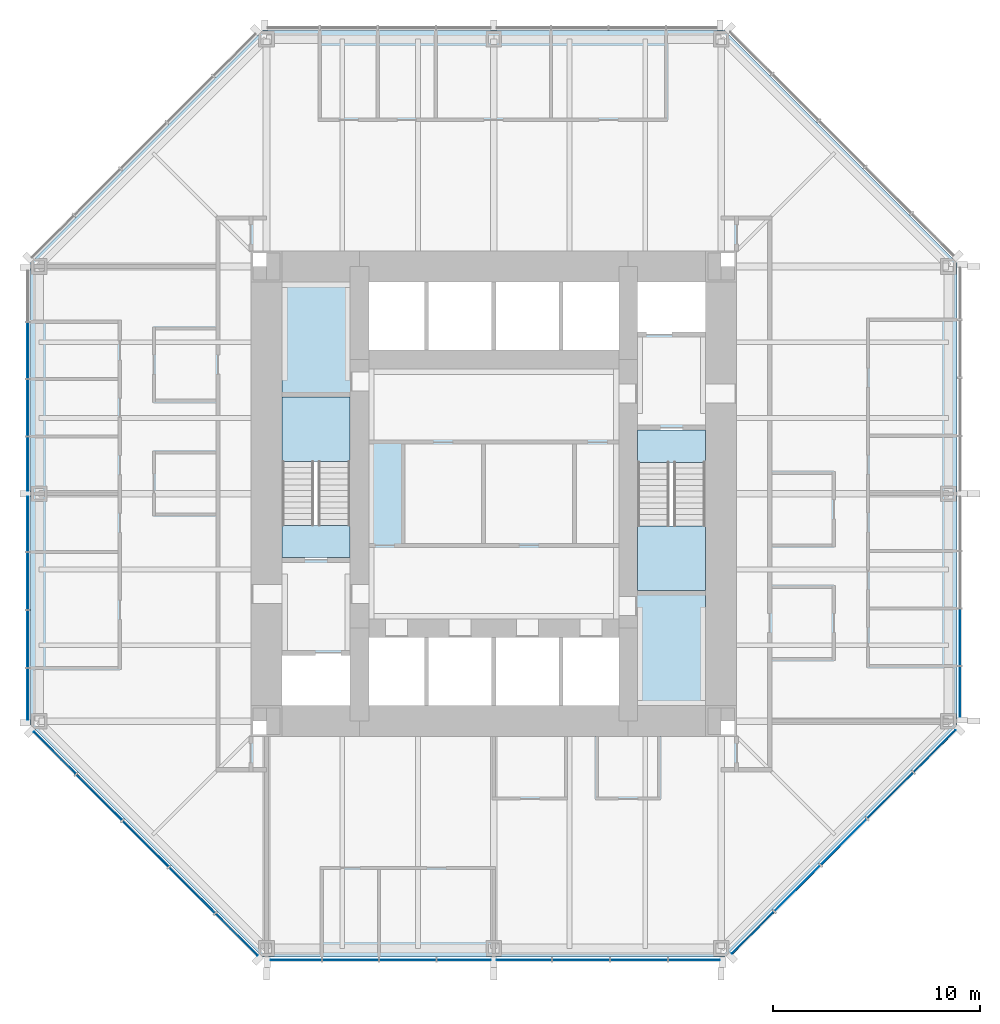
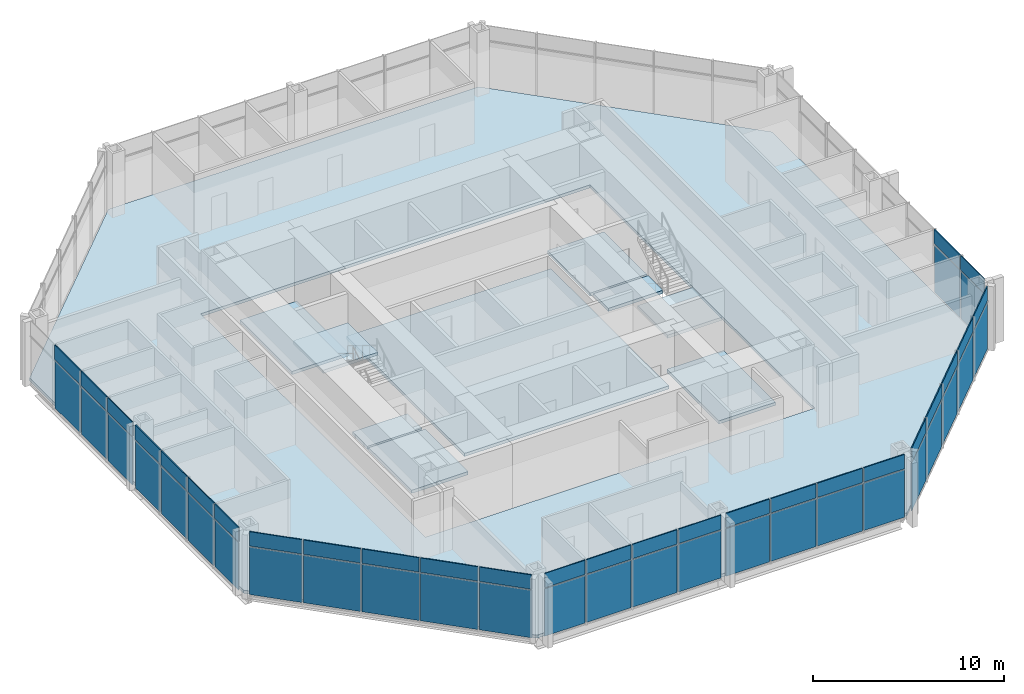
# One storey, part 7 of 12: 54 plates, 10 slabs, 7 elements without a shape of their own.
"""IFC4 building model written with IfcOpenShell, lengths in metres."""

from ifc_helpers import new_model, si_unit, direction, frame, origin, origin_2d, place, context, subcontext, project, spatial, polyline, rectangle, outline, extrude, material, layer, layer_set, type_object, element, aggregate, save


model = new_model("IFC4")

# Units and contexts
model_context = context("Model", 3, precision=1e-05, world=origin(), true_north=direction((0.0, 1.0)))
body_context = subcontext(model_context, "Body", "Model", "MODEL_VIEW")
ifc_project = project(units=[si_unit("LENGTHUNIT", "METRE"), si_unit("AREAUNIT", "SQUARE_METRE"), si_unit("VOLUMEUNIT", "CUBIC_METRE"), si_unit("PLANEANGLEUNIT", "RADIAN"), si_unit("MASSUNIT", "GRAM", prefix="KILO")], contexts=[model_context])

# Site, building, storey
site_placement = place(None, origin())
site = spatial("IfcSite", under=ifc_project, at=site_placement, CompositionType="ELEMENT")
building_placement = place(site_placement, origin())
building = spatial("IfcBuilding", under=site, at=building_placement, Name="Trevanion Tower", CompositionType="ELEMENT")
storey_placement = place(building_placement, frame((0.0, 0.0, 117.199951171875)))
storey = spatial("IfcBuildingStorey", under=building, at=storey_placement, Name="L27", CompositionType="ELEMENT", Elevation=117.199951171875)

# Curtain wall, plates
ifc_material_1 = material(Name="Aluminium and glass", Category="aluminium")
curtain_wall_type = type_object("IfcCurtainWallType", Name="CW2 curtain wall", PredefinedType="USERDEFINED", material=ifc_material_1)
curtain_wall_1_placement = place(storey_placement, origin())
curtain_wall_1 = element("IfcCurtainWall", 1, at=curtain_wall_1_placement, inside=storey, type_object=curtain_wall_type, Name="CW2 L27 0", ObjectType="UNITISED CURTAIN WALL", PredefinedType="USERDEFINED")
ifc_material_2 = material(Name="Aluminium spandrel panel", Category="aluminium")
ifc_layer_1 = layer(ifc_material_2, 0.06005859375)
ifc_layer_set_1 = layer_set([ifc_layer_1], Name="CW2 spandrel panel")
plate_type_1 = type_object("IfcPlateType", Name="CW2 spandrel panel", PredefinedType="CURTAIN_PANEL", material=ifc_layer_set_1)
plate_1_placement = place(storey_placement, frame((22.550048828125, -9.579345703125, 2.99755859375), z_axis=(0.0, 0.0, 1.0), x_axis=(0.0, 1.0, 0.0)))
plate_1 = element("IfcPlate", 2, at=plate_1_placement, type_object=plate_type_1, Name="CW2 panel 1.2", PredefinedType="CURTAIN_PANEL", context=body_context, shape_type="SweptSolid", body=[
    extrude(rectangle(XDim=2.43701171875, YDim=0.06005859375, at=origin_2d()), origin(), (0.0, 0.0, 1.0), 0.91259765625),
])
plate_2_placement = place(storey_placement, frame((22.550048828125, -6.93603515625, 2.99755859375), z_axis=(0.0, 0.0, 1.0), x_axis=(0.0, 1.0, 0.0)))
plate_2 = element("IfcPlate", 3, at=plate_2_placement, type_object=plate_type_1, Name="CW2 panel 2.2", PredefinedType="CURTAIN_PANEL", context=body_context, shape_type="SweptSolid", body=[
    extrude(rectangle(XDim=2.699462890625, YDim=0.06005859375, at=origin_2d()), origin(), (0.0, 0.0, 1.0), 0.91259765625),
])

curtain_wall_2_placement = place(storey_placement, origin())
curtain_wall_2 = element("IfcCurtainWall", 4, at=curtain_wall_2_placement, inside=storey, type_object=curtain_wall_type, Name="CW2 L27 4", ObjectType="UNITISED CURTAIN WALL", PredefinedType="USERDEFINED")
plate_3_placement = place(storey_placement, frame((-22.550048828125, 6.93603515625, 2.99755859375), z_axis=(0.0, 0.0, 1.0), x_axis=(0.0, -1.0, 0.0)))
plate_3 = element("IfcPlate", 5, at=plate_3_placement, type_object=plate_type_1, Name="CW2 panel 2.2", PredefinedType="CURTAIN_PANEL", context=body_context, shape_type="SweptSolid", body=[
    extrude(rectangle(XDim=2.699462890625, YDim=0.06005859375, at=origin_2d()), origin(), (0.0, 0.0, 1.0), 0.91259765625),
])
plate_4_placement = place(storey_placement, frame((-22.550048828125, 4.16162109375, 2.99755859375), z_axis=(0.0, 0.0, 1.0), x_axis=(0.0, -1.0, 0.0)))
plate_4 = element("IfcPlate", 6, at=plate_4_placement, type_object=plate_type_1, Name="CW2 panel 3.2", PredefinedType="CURTAIN_PANEL", context=body_context, shape_type="SweptSolid", body=[
    extrude(rectangle(XDim=2.699462890625, YDim=0.06005859375, at=origin_2d()), origin(), (0.0, 0.0, 1.0), 0.91259765625),
])
plate_5_placement = place(storey_placement, frame((-22.550048828125, 1.443603515625, 2.99755859375), z_axis=(0.0, 0.0, 1.0), x_axis=(0.0, -1.0, 0.0)))
plate_5 = element("IfcPlate", 7, at=plate_5_placement, type_object=plate_type_1, Name="CW2 panel 4.2", PredefinedType="CURTAIN_PANEL", context=body_context, shape_type="SweptSolid", body=[
    extrude(rectangle(XDim=2.5869140625, YDim=0.06005859375, at=origin_2d()), origin(), (0.0, 0.0, 1.0), 0.91259765625),
])
plate_6_placement = place(storey_placement, frame((-22.550048828125, -1.459716796875, 2.99755859375), z_axis=(0.0, 0.0, 1.0), x_axis=(0.0, -1.0, 0.0)))
plate_6 = element("IfcPlate", 8, at=plate_6_placement, type_object=plate_type_1, Name="CW2 panel 5.2", PredefinedType="CURTAIN_PANEL", context=body_context, shape_type="SweptSolid", body=[
    extrude(rectangle(XDim=2.619384765625, YDim=0.06005859375, at=origin_2d()), origin(), (0.0, 0.0, 1.0), 0.91259765625),
])
plate_7_placement = place(storey_placement, frame((-22.550048828125, -4.21044921875, 2.99755859375), z_axis=(0.0, 0.0, 1.0), x_axis=(0.0, -1.0, 0.0)))
plate_7 = element("IfcPlate", 9, at=plate_7_placement, type_object=plate_type_1, Name="CW2 panel 6.2", PredefinedType="CURTAIN_PANEL", context=body_context, shape_type="SweptSolid", body=[
    extrude(rectangle(XDim=2.73193359375, YDim=0.06005859375, at=origin_2d()), origin(), (0.0, 0.0, 1.0), 0.91259765625),
])
plate_8_placement = place(storey_placement, frame((-22.550048828125, -7.017333984375, 2.99755859375), z_axis=(0.0, 0.0, 1.0), x_axis=(0.0, -1.0, 0.0)))
plate_8 = element("IfcPlate", 10, at=plate_8_placement, type_object=plate_type_1, Name="CW2 panel 7.2", PredefinedType="CURTAIN_PANEL", context=body_context, shape_type="SweptSolid", body=[
    extrude(rectangle(XDim=2.73193359375, YDim=0.06005859375, at=origin_2d()), origin(), (0.0, 0.0, 1.0), 0.91259765625),
])
plate_9_placement = place(storey_placement, frame((-22.550048828125, -9.693115234375, 2.99755859375), z_axis=(0.0, 0.0, 1.0), x_axis=(0.0, -1.0, 0.0)))
plate_9 = element("IfcPlate", 11, at=plate_9_placement, type_object=plate_type_1, Name="CW2 panel 8.2", PredefinedType="CURTAIN_PANEL", context=body_context, shape_type="SweptSolid", body=[
    extrude(rectangle(XDim=2.469482421875, YDim=0.06005859375, at=origin_2d()), origin(), (0.0, 0.0, 1.0), 0.91259765625),
])

curtain_wall_3_placement = place(storey_placement, origin())
curtain_wall_3 = element("IfcCurtainWall", 12, at=curtain_wall_3_placement, inside=storey, type_object=curtain_wall_type, Name="CW2 L27 5", ObjectType="UNITISED CURTAIN WALL", PredefinedType="USERDEFINED")
plate_10_placement = place(storey_placement, frame((-21.2421875, -12.53564453125, 2.99755859375), z_axis=(0.0, 0.0, 1.0), x_axis=(0.707106781187, -0.707106781187, 0.0)))
plate_10 = element("IfcPlate", 13, at=plate_10_placement, type_object=plate_type_1, Name="CW2 panel 1.2", PredefinedType="CURTAIN_PANEL", context=body_context, shape_type="SweptSolid", body=[
    extrude(rectangle(XDim=2.8388671875, YDim=0.06005859375, at=origin_2d()), origin(), (0.0, 0.0, 1.0), 0.91259765625),
])
plate_11_placement = place(storey_placement, frame((-19.089111328125, -14.688720703125, 2.99755859375), z_axis=(0.0, 0.0, 1.0), x_axis=(0.707106781187, -0.707106781187, 0.0)))
plate_11 = element("IfcPlate", 14, at=plate_11_placement, type_object=plate_type_1, Name="CW2 panel 2.2", PredefinedType="CURTAIN_PANEL", context=body_context, shape_type="SweptSolid", body=[
    extrude(rectangle(XDim=3.101318359375, YDim=0.06005859375, at=origin_2d()), origin(), (0.0, 0.0, 1.0), 0.91259765625),
])
plate_12_placement = place(storey_placement, frame((-16.843017578125, -16.934814453125, 2.99755859375), z_axis=(0.0, 0.0, 1.0), x_axis=(0.707106781187, -0.707106781187, 0.0)))
plate_12 = element("IfcPlate", 15, at=plate_12_placement, type_object=plate_type_1, Name="CW2 panel 3.2", PredefinedType="CURTAIN_PANEL", context=body_context, shape_type="SweptSolid", body=[
    extrude(rectangle(XDim=3.101318359375, YDim=0.06005859375, at=origin_2d()), origin(), (0.0, 0.0, 1.0), 0.91259765625),
])
plate_13_placement = place(storey_placement, frame((-14.596923828125, -19.180908203125, 2.99755859375), z_axis=(0.0, 0.0, 1.0), x_axis=(0.707106781187, -0.707106781187, 0.0)))
plate_13 = element("IfcPlate", 16, at=plate_13_placement, type_object=plate_type_1, Name="CW2 panel 4.2", PredefinedType="CURTAIN_PANEL", context=body_context, shape_type="SweptSolid", body=[
    extrude(rectangle(XDim=3.101318359375, YDim=0.06005859375, at=origin_2d()), origin(), (0.0, 0.0, 1.0), 0.91259765625),
])
plate_14_placement = place(storey_placement, frame((-12.443603515625, -21.334228515625, 2.99755859375), z_axis=(0.0, 0.0, 1.0), x_axis=(0.707106781187, -0.707106781187, 0.0)))
plate_14 = element("IfcPlate", 17, at=plate_14_placement, type_object=plate_type_1, Name="CW2 panel 5.2", PredefinedType="CURTAIN_PANEL", context=body_context, shape_type="SweptSolid", body=[
    extrude(rectangle(XDim=2.8388671875, YDim=0.06005859375, at=origin_2d()), origin(), (0.0, 0.0, 1.0), 0.91259765625),
])

curtain_wall_4_placement = place(storey_placement, origin())
curtain_wall_4 = element("IfcCurtainWall", 18, at=curtain_wall_4_placement, inside=storey, type_object=curtain_wall_type, Name="CW2 L27 6", ObjectType="UNITISED CURTAIN WALL", PredefinedType="USERDEFINED")
plate_15_placement = place(storey_placement, frame((-9.579345703125, -22.550048828125, 2.99755859375), z_axis=(0.0, 0.0, 1.0), x_axis=(1.0, 0.0, 0.0)))
plate_15 = element("IfcPlate", 19, at=plate_15_placement, type_object=plate_type_1, Name="CW2 panel 1.2", PredefinedType="CURTAIN_PANEL", context=body_context, shape_type="SweptSolid", body=[
    extrude(rectangle(XDim=2.43701171875, YDim=0.06005859375, at=origin_2d()), origin(), (0.0, 0.0, 1.0), 0.91259765625),
])
plate_16_placement = place(storey_placement, frame((-6.93603515625, -22.550048828125, 2.99755859375), z_axis=(0.0, 0.0, 1.0), x_axis=(1.0, 0.0, 0.0)))
plate_16 = element("IfcPlate", 20, at=plate_16_placement, type_object=plate_type_1, Name="CW2 panel 2.2", PredefinedType="CURTAIN_PANEL", context=body_context, shape_type="SweptSolid", body=[
    extrude(rectangle(XDim=2.699462890625, YDim=0.06005859375, at=origin_2d()), origin(), (0.0, 0.0, 1.0), 0.91259765625),
])
plate_17_placement = place(storey_placement, frame((-4.16162109375, -22.550048828125, 2.99755859375), z_axis=(0.0, 0.0, 1.0), x_axis=(1.0, 0.0, 0.0)))
plate_17 = element("IfcPlate", 21, at=plate_17_placement, type_object=plate_type_1, Name="CW2 panel 3.2", PredefinedType="CURTAIN_PANEL", context=body_context, shape_type="SweptSolid", body=[
    extrude(rectangle(XDim=2.699462890625, YDim=0.06005859375, at=origin_2d()), origin(), (0.0, 0.0, 1.0), 0.91259765625),
])
plate_18_placement = place(storey_placement, frame((-1.443603515625, -22.550048828125, 2.99755859375), z_axis=(0.0, 0.0, 1.0), x_axis=(1.0, 0.0, 0.0)))
plate_18 = element("IfcPlate", 22, at=plate_18_placement, type_object=plate_type_1, Name="CW2 panel 4.2", PredefinedType="CURTAIN_PANEL", context=body_context, shape_type="SweptSolid", body=[
    extrude(rectangle(XDim=2.5869140625, YDim=0.06005859375, at=origin_2d()), origin(), (0.0, 0.0, 1.0), 0.91259765625),
])
plate_19_placement = place(storey_placement, frame((1.459716796875, -22.550048828125, 2.99755859375), z_axis=(0.0, 0.0, 1.0), x_axis=(1.0, 0.0, 0.0)))
plate_19 = element("IfcPlate", 23, at=plate_19_placement, type_object=plate_type_1, Name="CW2 panel 5.2", PredefinedType="CURTAIN_PANEL", context=body_context, shape_type="SweptSolid", body=[
    extrude(rectangle(XDim=2.619384765625, YDim=0.06005859375, at=origin_2d()), origin(), (0.0, 0.0, 1.0), 0.91259765625),
])
plate_20_placement = place(storey_placement, frame((4.21044921875, -22.550048828125, 2.99755859375), z_axis=(0.0, 0.0, 1.0), x_axis=(1.0, 0.0, 0.0)))
plate_20 = element("IfcPlate", 24, at=plate_20_placement, type_object=plate_type_1, Name="CW2 panel 6.2", PredefinedType="CURTAIN_PANEL", context=body_context, shape_type="SweptSolid", body=[
    extrude(rectangle(XDim=2.73193359375, YDim=0.06005859375, at=origin_2d()), origin(), (0.0, 0.0, 1.0), 0.91259765625),
])
plate_21_placement = place(storey_placement, frame((7.017333984375, -22.550048828125, 2.99755859375), z_axis=(0.0, 0.0, 1.0), x_axis=(1.0, 0.0, 0.0)))
plate_21 = element("IfcPlate", 25, at=plate_21_placement, type_object=plate_type_1, Name="CW2 panel 7.2", PredefinedType="CURTAIN_PANEL", context=body_context, shape_type="SweptSolid", body=[
    extrude(rectangle(XDim=2.73193359375, YDim=0.06005859375, at=origin_2d()), origin(), (0.0, 0.0, 1.0), 0.91259765625),
])
plate_22_placement = place(storey_placement, frame((9.693115234375, -22.550048828125, 2.99755859375), z_axis=(0.0, 0.0, 1.0), x_axis=(1.0, 0.0, 0.0)))
plate_22 = element("IfcPlate", 26, at=plate_22_placement, type_object=plate_type_1, Name="CW2 panel 8.2", PredefinedType="CURTAIN_PANEL", context=body_context, shape_type="SweptSolid", body=[
    extrude(rectangle(XDim=2.469482421875, YDim=0.06005859375, at=origin_2d()), origin(), (0.0, 0.0, 1.0), 0.91259765625),
])

curtain_wall_5_placement = place(storey_placement, origin())
curtain_wall_5 = element("IfcCurtainWall", 27, at=curtain_wall_5_placement, inside=storey, type_object=curtain_wall_type, Name="CW2 L27 7", ObjectType="UNITISED CURTAIN WALL", PredefinedType="USERDEFINED")
plate_23_placement = place(storey_placement, frame((12.53564453125, -21.2421875, 2.99755859375), z_axis=(0.0, 0.0, 1.0), x_axis=(0.707106781187, 0.707106781187, 0.0)))
plate_23 = element("IfcPlate", 28, at=plate_23_placement, type_object=plate_type_1, Name="CW2 panel 1.2", PredefinedType="CURTAIN_PANEL", context=body_context, shape_type="SweptSolid", body=[
    extrude(rectangle(XDim=2.8388671875, YDim=0.06005859375, at=origin_2d()), origin(), (0.0, 0.0, 1.0), 0.91259765625),
])
plate_24_placement = place(storey_placement, frame((14.688720703125, -19.089111328125, 2.99755859375), z_axis=(0.0, 0.0, 1.0), x_axis=(0.707106781187, 0.707106781187, 0.0)))
plate_24 = element("IfcPlate", 29, at=plate_24_placement, type_object=plate_type_1, Name="CW2 panel 2.2", PredefinedType="CURTAIN_PANEL", context=body_context, shape_type="SweptSolid", body=[
    extrude(rectangle(XDim=3.101318359375, YDim=0.06005859375, at=origin_2d()), origin(), (0.0, 0.0, 1.0), 0.91259765625),
])
plate_25_placement = place(storey_placement, frame((16.934814453125, -16.843017578125, 2.99755859375), z_axis=(0.0, 0.0, 1.0), x_axis=(0.707106781187, 0.707106781187, 0.0)))
plate_25 = element("IfcPlate", 30, at=plate_25_placement, type_object=plate_type_1, Name="CW2 panel 3.2", PredefinedType="CURTAIN_PANEL", context=body_context, shape_type="SweptSolid", body=[
    extrude(rectangle(XDim=3.101318359375, YDim=0.06005859375, at=origin_2d()), origin(), (0.0, 0.0, 1.0), 0.91259765625),
])
plate_26_placement = place(storey_placement, frame((19.180908203125, -14.596923828125, 2.99755859375), z_axis=(0.0, 0.0, 1.0), x_axis=(0.707106781187, 0.707106781187, 0.0)))
plate_26 = element("IfcPlate", 31, at=plate_26_placement, type_object=plate_type_1, Name="CW2 panel 4.2", PredefinedType="CURTAIN_PANEL", context=body_context, shape_type="SweptSolid", body=[
    extrude(rectangle(XDim=3.101318359375, YDim=0.06005859375, at=origin_2d()), origin(), (0.0, 0.0, 1.0), 0.91259765625),
])
plate_27_placement = place(storey_placement, frame((21.334228515625, -12.443603515625, 2.99755859375), z_axis=(0.0, 0.0, 1.0), x_axis=(0.707106781187, 0.707106781187, 0.0)))
plate_27 = element("IfcPlate", 32, at=plate_27_placement, type_object=plate_type_1, Name="CW2 panel 5.2", PredefinedType="CURTAIN_PANEL", context=body_context, shape_type="SweptSolid", body=[
    extrude(rectangle(XDim=2.8388671875, YDim=0.06005859375, at=origin_2d()), origin(), (0.0, 0.0, 1.0), 0.91259765625),
])

# Plate
ifc_material_3 = material(Name="Insulating glass unit", Category="glass")
ifc_layer_2 = layer(ifc_material_3, 0.028076171875)
ifc_layer_set_2 = layer_set([ifc_layer_2], Name="CW2 vision panel")
plate_type_2 = type_object("IfcPlateType", Name="CW2 vision panel", PredefinedType="CURTAIN_PANEL", material=ifc_layer_set_2)
plate_28_placement = place(storey_placement, frame((22.550048828125, -9.579345703125, -0.114990234375), z_axis=(0.0, 0.0, 1.0), x_axis=(0.0, 1.0, 0.0)))
plate_28 = element("IfcPlate", 33, at=plate_28_placement, type_object=plate_type_2, Name="CW2 panel 1.1", PredefinedType="CURTAIN_PANEL", context=body_context, shape_type="SweptSolid", body=[
    extrude(rectangle(XDim=2.43701171875, YDim=0.028076171875, at=origin_2d()), origin(), (0.0, 0.0, 1.0), 3.03759765625),
])

plate_29_placement = place(storey_placement, frame((22.550048828125, -6.93603515625, -0.114990234375), z_axis=(0.0, 0.0, 1.0), x_axis=(0.0, 1.0, 0.0)))
plate_29 = element("IfcPlate", 34, at=plate_29_placement, type_object=plate_type_2, Name="CW2 panel 2.1", PredefinedType="CURTAIN_PANEL", context=body_context, shape_type="SweptSolid", body=[
    extrude(rectangle(XDim=2.699462890625, YDim=0.028076171875, at=origin_2d()), origin(), (0.0, 0.0, 1.0), 3.03759765625),
])

aggregate(curtain_wall_1, [plate_28, plate_1, plate_29, plate_2])

plate_30_placement = place(storey_placement, frame((-22.550048828125, 6.93603515625, -0.114990234375), z_axis=(0.0, 0.0, 1.0), x_axis=(0.0, -1.0, 0.0)))
plate_30 = element("IfcPlate", 35, at=plate_30_placement, type_object=plate_type_2, Name="CW2 panel 2.1", PredefinedType="CURTAIN_PANEL", context=body_context, shape_type="SweptSolid", body=[
    extrude(rectangle(XDim=2.699462890625, YDim=0.028076171875, at=origin_2d()), origin(), (0.0, 0.0, 1.0), 3.03759765625),
])

plate_31_placement = place(storey_placement, frame((-22.550048828125, 4.16162109375, -0.114990234375), z_axis=(0.0, 0.0, 1.0), x_axis=(0.0, -1.0, 0.0)))
plate_31 = element("IfcPlate", 36, at=plate_31_placement, type_object=plate_type_2, Name="CW2 panel 3.1", PredefinedType="CURTAIN_PANEL", context=body_context, shape_type="SweptSolid", body=[
    extrude(rectangle(XDim=2.699462890625, YDim=0.028076171875, at=origin_2d()), origin(), (0.0, 0.0, 1.0), 3.03759765625),
])

plate_32_placement = place(storey_placement, frame((-22.550048828125, 1.443603515625, -0.114990234375), z_axis=(0.0, 0.0, 1.0), x_axis=(0.0, -1.0, 0.0)))
plate_32 = element("IfcPlate", 37, at=plate_32_placement, type_object=plate_type_2, Name="CW2 panel 4.1", PredefinedType="CURTAIN_PANEL", context=body_context, shape_type="SweptSolid", body=[
    extrude(rectangle(XDim=2.5869140625, YDim=0.028076171875, at=origin_2d()), origin(), (0.0, 0.0, 1.0), 3.03759765625),
])

plate_33_placement = place(storey_placement, frame((-22.550048828125, -1.459716796875, -0.114990234375), z_axis=(0.0, 0.0, 1.0), x_axis=(0.0, -1.0, 0.0)))
plate_33 = element("IfcPlate", 38, at=plate_33_placement, type_object=plate_type_2, Name="CW2 panel 5.1", PredefinedType="CURTAIN_PANEL", context=body_context, shape_type="SweptSolid", body=[
    extrude(rectangle(XDim=2.619384765625, YDim=0.028076171875, at=origin_2d()), origin(), (0.0, 0.0, 1.0), 3.03759765625),
])

plate_34_placement = place(storey_placement, frame((-22.550048828125, -4.21044921875, -0.114990234375), z_axis=(0.0, 0.0, 1.0), x_axis=(0.0, -1.0, 0.0)))
plate_34 = element("IfcPlate", 39, at=plate_34_placement, type_object=plate_type_2, Name="CW2 panel 6.1", PredefinedType="CURTAIN_PANEL", context=body_context, shape_type="SweptSolid", body=[
    extrude(rectangle(XDim=2.73193359375, YDim=0.028076171875, at=origin_2d()), origin(), (0.0, 0.0, 1.0), 3.03759765625),
])

plate_35_placement = place(storey_placement, frame((-22.550048828125, -7.017333984375, -0.114990234375), z_axis=(0.0, 0.0, 1.0), x_axis=(0.0, -1.0, 0.0)))
plate_35 = element("IfcPlate", 40, at=plate_35_placement, type_object=plate_type_2, Name="CW2 panel 7.1", PredefinedType="CURTAIN_PANEL", context=body_context, shape_type="SweptSolid", body=[
    extrude(rectangle(XDim=2.73193359375, YDim=0.028076171875, at=origin_2d()), origin(), (0.0, 0.0, 1.0), 3.03759765625),
])

plate_36_placement = place(storey_placement, frame((-22.550048828125, -9.693115234375, -0.114990234375), z_axis=(0.0, 0.0, 1.0), x_axis=(0.0, -1.0, 0.0)))
plate_36 = element("IfcPlate", 41, at=plate_36_placement, type_object=plate_type_2, Name="CW2 panel 8.1", PredefinedType="CURTAIN_PANEL", context=body_context, shape_type="SweptSolid", body=[
    extrude(rectangle(XDim=2.469482421875, YDim=0.028076171875, at=origin_2d()), origin(), (0.0, 0.0, 1.0), 3.03759765625),
])

aggregate(curtain_wall_2, [plate_30, plate_3, plate_31, plate_4, plate_32, plate_5, plate_33, plate_6, plate_34, plate_7, plate_35, plate_8, plate_36, plate_9])

plate_37_placement = place(storey_placement, frame((-21.2421875, -12.53564453125, -0.114990234375), z_axis=(0.0, 0.0, 1.0), x_axis=(0.707106781187, -0.707106781187, 0.0)))
plate_37 = element("IfcPlate", 42, at=plate_37_placement, type_object=plate_type_2, Name="CW2 panel 1.1", PredefinedType="CURTAIN_PANEL", context=body_context, shape_type="SweptSolid", body=[
    extrude(rectangle(XDim=2.8388671875, YDim=0.028076171875, at=origin_2d()), origin(), (0.0, 0.0, 1.0), 3.03759765625),
])

plate_38_placement = place(storey_placement, frame((-19.089111328125, -14.688720703125, -0.114990234375), z_axis=(0.0, 0.0, 1.0), x_axis=(0.707106781187, -0.707106781187, 0.0)))
plate_38 = element("IfcPlate", 43, at=plate_38_placement, type_object=plate_type_2, Name="CW2 panel 2.1", PredefinedType="CURTAIN_PANEL", context=body_context, shape_type="SweptSolid", body=[
    extrude(rectangle(XDim=3.101318359375, YDim=0.028076171875, at=origin_2d()), origin(), (0.0, 0.0, 1.0), 3.03759765625),
])

plate_39_placement = place(storey_placement, frame((-16.843017578125, -16.934814453125, -0.114990234375), z_axis=(0.0, 0.0, 1.0), x_axis=(0.707106781187, -0.707106781187, 0.0)))
plate_39 = element("IfcPlate", 44, at=plate_39_placement, type_object=plate_type_2, Name="CW2 panel 3.1", PredefinedType="CURTAIN_PANEL", context=body_context, shape_type="SweptSolid", body=[
    extrude(rectangle(XDim=3.101318359375, YDim=0.028076171875, at=origin_2d()), origin(), (0.0, 0.0, 1.0), 3.03759765625),
])

plate_40_placement = place(storey_placement, frame((-14.596923828125, -19.180908203125, -0.114990234375), z_axis=(0.0, 0.0, 1.0), x_axis=(0.707106781187, -0.707106781187, 0.0)))
plate_40 = element("IfcPlate", 45, at=plate_40_placement, type_object=plate_type_2, Name="CW2 panel 4.1", PredefinedType="CURTAIN_PANEL", context=body_context, shape_type="SweptSolid", body=[
    extrude(rectangle(XDim=3.101318359375, YDim=0.028076171875, at=origin_2d()), origin(), (0.0, 0.0, 1.0), 3.03759765625),
])

plate_41_placement = place(storey_placement, frame((-12.443603515625, -21.334228515625, -0.114990234375), z_axis=(0.0, 0.0, 1.0), x_axis=(0.707106781187, -0.707106781187, 0.0)))
plate_41 = element("IfcPlate", 46, at=plate_41_placement, type_object=plate_type_2, Name="CW2 panel 5.1", PredefinedType="CURTAIN_PANEL", context=body_context, shape_type="SweptSolid", body=[
    extrude(rectangle(XDim=2.8388671875, YDim=0.028076171875, at=origin_2d()), origin(), (0.0, 0.0, 1.0), 3.03759765625),
])

aggregate(curtain_wall_3, [plate_37, plate_10, plate_38, plate_11, plate_39, plate_12, plate_40, plate_13, plate_41, plate_14])

plate_42_placement = place(storey_placement, frame((-9.579345703125, -22.550048828125, -0.114990234375), z_axis=(0.0, 0.0, 1.0), x_axis=(1.0, 0.0, 0.0)))
plate_42 = element("IfcPlate", 47, at=plate_42_placement, type_object=plate_type_2, Name="CW2 panel 1.1", PredefinedType="CURTAIN_PANEL", context=body_context, shape_type="SweptSolid", body=[
    extrude(rectangle(XDim=2.43701171875, YDim=0.028076171875, at=origin_2d()), origin(), (0.0, 0.0, 1.0), 3.03759765625),
])

plate_43_placement = place(storey_placement, frame((-6.93603515625, -22.550048828125, -0.114990234375), z_axis=(0.0, 0.0, 1.0), x_axis=(1.0, 0.0, 0.0)))
plate_43 = element("IfcPlate", 48, at=plate_43_placement, type_object=plate_type_2, Name="CW2 panel 2.1", PredefinedType="CURTAIN_PANEL", context=body_context, shape_type="SweptSolid", body=[
    extrude(rectangle(XDim=2.699462890625, YDim=0.028076171875, at=origin_2d()), origin(), (0.0, 0.0, 1.0), 3.03759765625),
])

plate_44_placement = place(storey_placement, frame((-4.16162109375, -22.550048828125, -0.114990234375), z_axis=(0.0, 0.0, 1.0), x_axis=(1.0, 0.0, 0.0)))
plate_44 = element("IfcPlate", 49, at=plate_44_placement, type_object=plate_type_2, Name="CW2 panel 3.1", PredefinedType="CURTAIN_PANEL", context=body_context, shape_type="SweptSolid", body=[
    extrude(rectangle(XDim=2.699462890625, YDim=0.028076171875, at=origin_2d()), origin(), (0.0, 0.0, 1.0), 3.03759765625),
])

plate_45_placement = place(storey_placement, frame((-1.443603515625, -22.550048828125, -0.114990234375), z_axis=(0.0, 0.0, 1.0), x_axis=(1.0, 0.0, 0.0)))
plate_45 = element("IfcPlate", 50, at=plate_45_placement, type_object=plate_type_2, Name="CW2 panel 4.1", PredefinedType="CURTAIN_PANEL", context=body_context, shape_type="SweptSolid", body=[
    extrude(rectangle(XDim=2.5869140625, YDim=0.028076171875, at=origin_2d()), origin(), (0.0, 0.0, 1.0), 3.03759765625),
])

plate_46_placement = place(storey_placement, frame((1.459716796875, -22.550048828125, -0.114990234375), z_axis=(0.0, 0.0, 1.0), x_axis=(1.0, 0.0, 0.0)))
plate_46 = element("IfcPlate", 51, at=plate_46_placement, type_object=plate_type_2, Name="CW2 panel 5.1", PredefinedType="CURTAIN_PANEL", context=body_context, shape_type="SweptSolid", body=[
    extrude(rectangle(XDim=2.619384765625, YDim=0.028076171875, at=origin_2d()), origin(), (0.0, 0.0, 1.0), 3.03759765625),
])

plate_47_placement = place(storey_placement, frame((4.21044921875, -22.550048828125, -0.114990234375), z_axis=(0.0, 0.0, 1.0), x_axis=(1.0, 0.0, 0.0)))
plate_47 = element("IfcPlate", 52, at=plate_47_placement, type_object=plate_type_2, Name="CW2 panel 6.1", PredefinedType="CURTAIN_PANEL", context=body_context, shape_type="SweptSolid", body=[
    extrude(rectangle(XDim=2.73193359375, YDim=0.028076171875, at=origin_2d()), origin(), (0.0, 0.0, 1.0), 3.03759765625),
])

plate_48_placement = place(storey_placement, frame((7.017333984375, -22.550048828125, -0.114990234375), z_axis=(0.0, 0.0, 1.0), x_axis=(1.0, 0.0, 0.0)))
plate_48 = element("IfcPlate", 53, at=plate_48_placement, type_object=plate_type_2, Name="CW2 panel 7.1", PredefinedType="CURTAIN_PANEL", context=body_context, shape_type="SweptSolid", body=[
    extrude(rectangle(XDim=2.73193359375, YDim=0.028076171875, at=origin_2d()), origin(), (0.0, 0.0, 1.0), 3.03759765625),
])

plate_49_placement = place(storey_placement, frame((9.693115234375, -22.550048828125, -0.114990234375), z_axis=(0.0, 0.0, 1.0), x_axis=(1.0, 0.0, 0.0)))
plate_49 = element("IfcPlate", 54, at=plate_49_placement, type_object=plate_type_2, Name="CW2 panel 8.1", PredefinedType="CURTAIN_PANEL", context=body_context, shape_type="SweptSolid", body=[
    extrude(rectangle(XDim=2.469482421875, YDim=0.028076171875, at=origin_2d()), origin(), (0.0, 0.0, 1.0), 3.03759765625),
])

aggregate(curtain_wall_4, [plate_42, plate_15, plate_43, plate_16, plate_44, plate_17, plate_45, plate_18, plate_46, plate_19, plate_47, plate_20, plate_48, plate_21, plate_49, plate_22])

plate_50_placement = place(storey_placement, frame((12.53564453125, -21.2421875, -0.114990234375), z_axis=(0.0, 0.0, 1.0), x_axis=(0.707106781187, 0.707106781187, 0.0)))
plate_50 = element("IfcPlate", 55, at=plate_50_placement, type_object=plate_type_2, Name="CW2 panel 1.1", PredefinedType="CURTAIN_PANEL", context=body_context, shape_type="SweptSolid", body=[
    extrude(rectangle(XDim=2.8388671875, YDim=0.028076171875, at=origin_2d()), origin(), (0.0, 0.0, 1.0), 3.03759765625),
])

plate_51_placement = place(storey_placement, frame((14.688720703125, -19.089111328125, -0.114990234375), z_axis=(0.0, 0.0, 1.0), x_axis=(0.707106781187, 0.707106781187, 0.0)))
plate_51 = element("IfcPlate", 56, at=plate_51_placement, type_object=plate_type_2, Name="CW2 panel 2.1", PredefinedType="CURTAIN_PANEL", context=body_context, shape_type="SweptSolid", body=[
    extrude(rectangle(XDim=3.101318359375, YDim=0.028076171875, at=origin_2d()), origin(), (0.0, 0.0, 1.0), 3.03759765625),
])

plate_52_placement = place(storey_placement, frame((16.934814453125, -16.843017578125, -0.114990234375), z_axis=(0.0, 0.0, 1.0), x_axis=(0.707106781187, 0.707106781187, 0.0)))
plate_52 = element("IfcPlate", 57, at=plate_52_placement, type_object=plate_type_2, Name="CW2 panel 3.1", PredefinedType="CURTAIN_PANEL", context=body_context, shape_type="SweptSolid", body=[
    extrude(rectangle(XDim=3.101318359375, YDim=0.028076171875, at=origin_2d()), origin(), (0.0, 0.0, 1.0), 3.03759765625),
])

plate_53_placement = place(storey_placement, frame((19.180908203125, -14.596923828125, -0.114990234375), z_axis=(0.0, 0.0, 1.0), x_axis=(0.707106781187, 0.707106781187, 0.0)))
plate_53 = element("IfcPlate", 58, at=plate_53_placement, type_object=plate_type_2, Name="CW2 panel 4.1", PredefinedType="CURTAIN_PANEL", context=body_context, shape_type="SweptSolid", body=[
    extrude(rectangle(XDim=3.101318359375, YDim=0.028076171875, at=origin_2d()), origin(), (0.0, 0.0, 1.0), 3.03759765625),
])

plate_54_placement = place(storey_placement, frame((21.334228515625, -12.443603515625, -0.114990234375), z_axis=(0.0, 0.0, 1.0), x_axis=(0.707106781187, 0.707106781187, 0.0)))
plate_54 = element("IfcPlate", 59, at=plate_54_placement, type_object=plate_type_2, Name="CW2 panel 5.1", PredefinedType="CURTAIN_PANEL", context=body_context, shape_type="SweptSolid", body=[
    extrude(rectangle(XDim=2.8388671875, YDim=0.028076171875, at=origin_2d()), origin(), (0.0, 0.0, 1.0), 3.03759765625),
])

aggregate(curtain_wall_5, [plate_50, plate_23, plate_51, plate_24, plate_52, plate_25, plate_53, plate_26, plate_54, plate_27])

# Slabs
ifc_material_4 = material(Name="Concrete 5,000 psi on composite metal deck", Category="concrete")
ifc_layer_3 = layer(ifc_material_4, 0.18994140625)
ifc_layer_set_3 = layer_set([ifc_layer_3], Name="SL1 composite floor 190")
slab_type_1 = type_object("IfcSlabType", Name="SL1 composite floor 190", PredefinedType="FLOOR", material=ifc_layer_set_3)
slab_1_placement = place(storey_placement, frame((0.0, 0.0, -0.18994140625)))
element("IfcSlab", 60, at=slab_1_placement, inside=storey, type_object=slab_type_1, Name="SL1 L27 floor", PredefinedType="FLOOR", context=body_context, shape_type="SweptSolid", body=[
    extrude(outline(polyline([(22.419921875, -11.174072265625), (22.419921875, 11.174072265625), (11.174072265625, 22.419921875), (-11.174072265625, 22.419921875), (-22.419921875, 11.174072265625), (-22.419921875, -11.174072265625), (-11.174072265625, -22.419921875), (11.174072265625, -22.419921875), (22.419921875, -11.174072265625)]), holes=[polyline([(11.75, -11.75), (11.75, 11.75), (-11.75, 11.75), (-11.75, -11.75), (11.75, -11.75)])]), origin(), (0.0, 0.0, 1.0), 0.18994140625),
])
ifc_material_5 = material(Name="Concrete 5,000 psi", Category="concrete")
ifc_layer_4 = layer(ifc_material_5, 0.199951171875)
ifc_layer_set_4 = layer_set([ifc_layer_4], Name="SL2 core floor 200")
slab_type_2 = type_object("IfcSlabType", Name="SL2 core floor 200", PredefinedType="FLOOR", material=ifc_layer_set_4)
slab_2_placement = place(storey_placement, frame((0.0, 0.0, -0.199951171875)))
element("IfcSlab", 61, at=slab_2_placement, inside=storey, type_object=slab_type_2, Name="SL2 L27 core floor 1", PredefinedType="FLOOR", context=body_context, shape_type="SweptSolid", body=[
    extrude(outline(polyline([(10.25, -4.804931640625), (10.25, -10.25), (6.830078125, -10.25), (6.830078125, -4.804931640625), (10.25, -4.804931640625)])), origin(), (0.0, 0.0, 1.0), 0.199951171875),
])
slab_3_placement = place(storey_placement, frame((0.0, 0.0, -0.199951171875)))
element("IfcSlab", 62, at=slab_3_placement, inside=storey, type_object=slab_type_2, Name="SL2 L27 core floor 2", PredefinedType="FLOOR", context=body_context, shape_type="SweptSolid", body=[
    extrude(outline(polyline([(-6.830078125, -3.205078125), (-6.830078125, -7.695068359375), (-10.25, -7.695068359375), (-10.25, -3.205078125), (-6.830078125, -3.205078125)])), origin(), (0.0, 0.0, 1.0), 0.199951171875),
])
slab_4_placement = place(storey_placement, frame((0.0, 0.0, -0.199951171875)))
element("IfcSlab", 63, at=slab_4_placement, inside=storey, type_object=slab_type_2, Name="SL2 L27 core floor 3", PredefinedType="FLOOR", context=body_context, shape_type="SweptSolid", body=[
    extrude(outline(polyline([(6.169921875, -6.169921875), (-6.169921875, -6.169921875), (-6.169921875, 6.169921875), (6.169921875, 6.169921875), (6.169921875, -6.169921875)])), origin(), (0.0, 0.0, 1.0), 0.199951171875),
])
slab_5_placement = place(storey_placement, frame((0.0, 0.0, -0.199951171875)))
element("IfcSlab", 64, at=slab_5_placement, inside=storey, type_object=slab_type_2, Name="SL2 L27 core floor 4", PredefinedType="FLOOR", context=body_context, shape_type="SweptSolid", body=[
    extrude(outline(polyline([(6.830078125, 3.205078125), (6.830078125, 7.695068359375), (10.25, 7.695068359375), (10.25, 3.205078125), (6.830078125, 3.205078125)])), origin(), (0.0, 0.0, 1.0), 0.199951171875),
])
slab_6_placement = place(storey_placement, frame((0.0, 0.0, -0.199951171875)))
element("IfcSlab", 65, at=slab_6_placement, inside=storey, type_object=slab_type_2, Name="SL2 L27 core floor 5", PredefinedType="FLOOR", context=body_context, shape_type="SweptSolid", body=[
    extrude(outline(polyline([(-6.830078125, 4.804931640625), (-10.25, 4.804931640625), (-10.25, 10.25), (-6.830078125, 10.25), (-6.830078125, 4.804931640625)])), origin(), (0.0, 0.0, 1.0), 0.199951171875),
])

# Stair, slabs
ifc_material_6 = material(Name="Concrete 5,000 psi on steel stringers", Category="concrete")
stair_type = type_object("IfcStairType", Name="ST stair", PredefinedType="HALF_TURN_STAIR", material=ifc_material_6)
stair_1_placement = place(storey_placement, origin())
stair_1 = element("IfcStair", 66, at=stair_1_placement, inside=storey, type_object=stair_type, Name="ST1 L27", PredefinedType="HALF_TURN_STAIR")
ifc_material_7 = material(Name="Concrete 5,000 psi in steel pan", Category="concrete")
ifc_layer_5 = layer(ifc_material_7, 0.199951171875)
ifc_layer_set_5 = layer_set([ifc_layer_5], Name="STL stair landing 200")
slab_type_3 = type_object("IfcSlabType", Name="STL stair landing 200", PredefinedType="LANDING", material=ifc_layer_set_5)
slab_7_placement = place(storey_placement, frame((0.0, 0.0, -0.199951171875)))
slab_7 = element("IfcSlab", 67, at=slab_7_placement, type_object=slab_type_3, Name="ST1 landing 1", PredefinedType="LANDING", context=body_context, shape_type="SweptSolid", body=[
    extrude(outline(polyline([(6.949951171875, 1.52490234375), (10.25, 1.52490234375), (10.25, 3.074951171875), (6.949951171875, 3.074951171875), (6.949951171875, 1.52490234375)])), origin(), (0.0, 0.0, 1.0), 0.199951171875),
])
slab_8_placement = place(storey_placement, frame((0.0, 0.0, 1.85009765625)))
slab_8 = element("IfcSlab", 68, at=slab_8_placement, type_object=slab_type_3, Name="ST1 landing 2", PredefinedType="LANDING", context=body_context, shape_type="SweptSolid", body=[
    extrude(outline(polyline([(6.949951171875, -4.675048828125), (10.25, -4.675048828125), (10.25, -1.554931640625), (6.949951171875, -1.554931640625), (6.949951171875, -4.675048828125)])), origin(), (0.0, 0.0, 1.0), 0.199951171875),
])
aggregate(stair_1, [slab_7, slab_8])

stair_2_placement = place(storey_placement, origin())
stair_2 = element("IfcStair", 69, at=stair_2_placement, inside=storey, type_object=stair_type, Name="ST2 L27", PredefinedType="HALF_TURN_STAIR")
slab_9_placement = place(storey_placement, frame((0.0, 0.0, -0.199951171875)))
slab_9 = element("IfcSlab", 70, at=slab_9_placement, type_object=slab_type_3, Name="ST2 landing 1", PredefinedType="LANDING", context=body_context, shape_type="SweptSolid", body=[
    extrude(outline(polyline([(-6.949951171875, -1.52490234375), (-10.25, -1.52490234375), (-10.25, -3.074951171875), (-6.949951171875, -3.074951171875), (-6.949951171875, -1.52490234375)])), origin(), (0.0, 0.0, 1.0), 0.199951171875),
])
slab_10_placement = place(storey_placement, frame((0.0, 0.0, 1.85009765625)))
slab_10 = element("IfcSlab", 71, at=slab_10_placement, type_object=slab_type_3, Name="ST2 landing 2", PredefinedType="LANDING", context=body_context, shape_type="SweptSolid", body=[
    extrude(outline(polyline([(-6.949951171875, 4.675048828125), (-10.25, 4.675048828125), (-10.25, 1.554931640625), (-6.949951171875, 1.554931640625), (-6.949951171875, 4.675048828125)])), origin(), (0.0, 0.0, 1.0), 0.199951171875),
])
aggregate(stair_2, [slab_9, slab_10])

save(model, "model.ifc")
